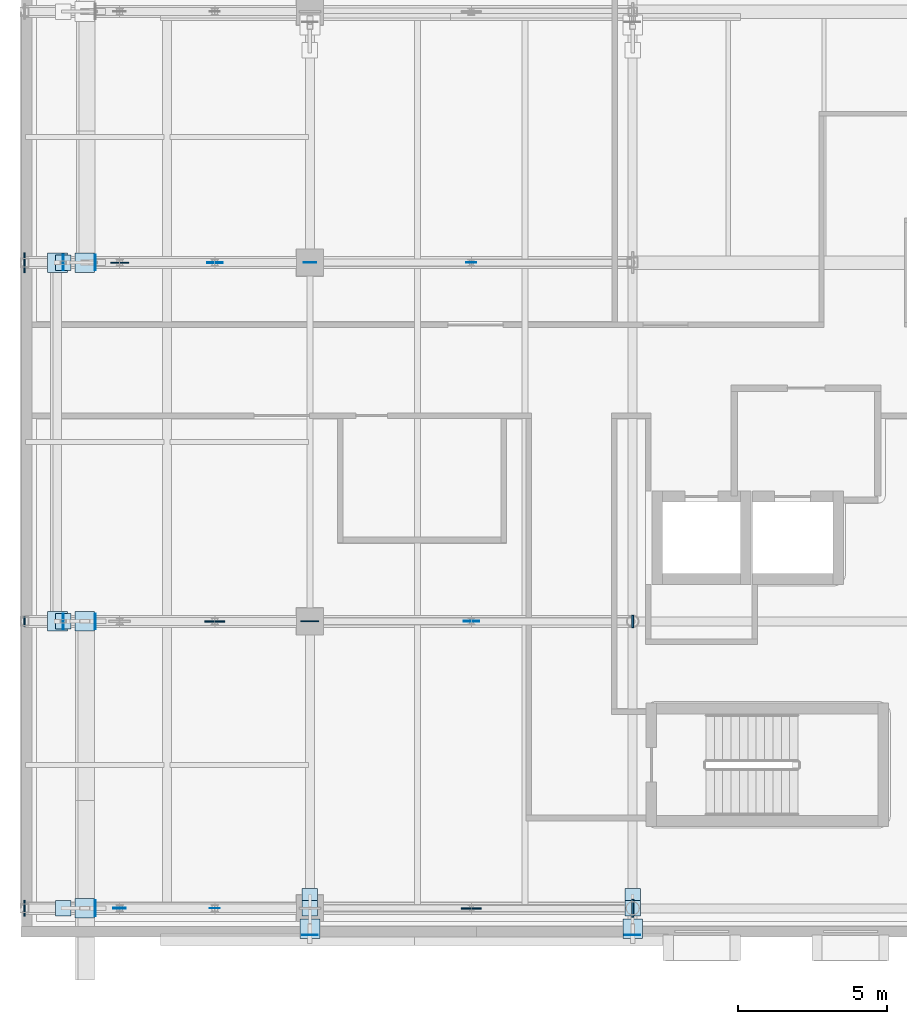
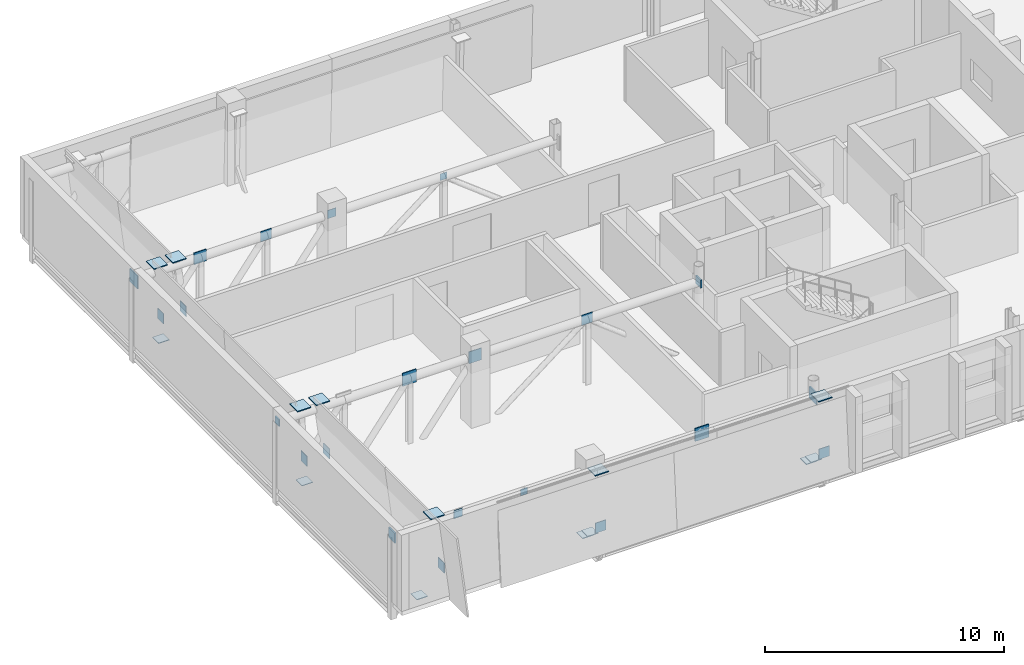
# One storey, part 66 of 89: 36 plates.
"""IFC4 building model written with IfcOpenShell, lengths in metres."""

from ifc_helpers import new_model, si_unit, direction, frame, origin, origin_2d, place, context, subcontext, project, spatial, rectangle, extrude, material, layer, layer_set, type_object, element, save


model = new_model("IFC4")

# Units and contexts
model_context = context("Model", 3, precision=1e-05, world=origin(), true_north=direction((0.0, 1.0)))
body_context = subcontext(model_context, "Body", "Model", "MODEL_VIEW")
ifc_project = project(units=[si_unit("LENGTHUNIT", "METRE"), si_unit("AREAUNIT", "SQUARE_METRE"), si_unit("VOLUMEUNIT", "CUBIC_METRE"), si_unit("PLANEANGLEUNIT", "RADIAN"), si_unit("MASSUNIT", "GRAM", prefix="KILO")], contexts=[model_context])

# Site, building, storey
site_placement = place(None, origin())
site = spatial("IfcSite", under=ifc_project, at=site_placement, CompositionType="ELEMENT")
building_placement = place(site_placement, origin())
building = spatial("IfcBuilding", under=site, at=building_placement, Name="Zereglee Splitstone Museum", CompositionType="ELEMENT")
storey_placement = place(building_placement, frame((0.0, 0.0, 21.300048828125)))
storey = spatial("IfcBuildingStorey", under=building, at=storey_placement, Name="L04", CompositionType="ELEMENT", Elevation=21.300048828125)

# Plates
ifc_material = material(Name="Steel S355J2", Category="steel")
ifc_layer_1 = layer(ifc_material, 0.011962890625)
ifc_layer_set_1 = layer_set([ifc_layer_1], Name="Steel S355J2")
plate_type_1 = type_object("IfcPlateType", Name="NP-06", PredefinedType="SHEET", material=ifc_layer_set_1)
plate_1_placement = place(storey_placement, frame((6.416748046875, 0.0, 3.1298828125), z_axis=(0.0, 0.0, 1.0), x_axis=(1.0, 0.0, 0.0)))
element("IfcPlate", 1, at=plate_1_placement, inside=storey, type_object=plate_type_1, Name="Cantilever Truss Node Plate CN-01", PredefinedType="SHEET", context=body_context, shape_type="SweptSolid", body=[
    extrude(rectangle(XDim=0.340087890625, YDim=0.011962890625, at=origin_2d()), origin(), (0.0, 0.0, 1.0), 0.340087890625),
])
plate_2_placement = place(storey_placement, frame((0.050048828125, 9.60009765625, 3.1298828125), z_axis=(0.0, 0.0, 1.0), x_axis=(1.0, 0.0, 0.0)))
element("IfcPlate", 2, at=plate_2_placement, inside=storey, type_object=plate_type_1, Name="Cantilever Truss Node Plate CN-02", PredefinedType="SHEET", context=body_context, shape_type="SweptSolid", body=[
    extrude(rectangle(XDim=0.06005859375, YDim=0.340087890625, at=origin_2d()), origin(), (0.0, 0.0, 1.0), 0.340087890625),
])
plate_3_placement = place(storey_placement, frame((15.0, 21.60009765625, 3.1298828125), z_axis=(0.0, 0.0, 1.0), x_axis=(1.0, 0.0, 0.0)))
element("IfcPlate", 3, at=plate_3_placement, inside=storey, type_object=plate_type_1, Name="Cantilever Truss Node Plate CN-03", PredefinedType="SHEET", context=body_context, shape_type="SweptSolid", body=[
    extrude(rectangle(XDim=0.340087890625, YDim=0.011962890625, at=origin_2d()), origin(), (0.0, 0.0, 1.0), 0.340087890625),
])
ifc_layer_2 = layer(ifc_material, 0.02001953125)
ifc_layer_set_2 = layer_set([ifc_layer_2], Name="Steel S355J2")
plate_type_2 = type_object("IfcPlateType", Name="NP-05", PredefinedType="SHEET", material=ifc_layer_set_2)
plate_4_placement = place(storey_placement, frame((3.2333984375, 0.0, 3.090087890625), z_axis=(0.0, 0.0, 1.0), x_axis=(1.0, 0.0, 0.0)))
element("IfcPlate", 4, at=plate_4_placement, inside=storey, type_object=plate_type_2, Name="Cantilever Truss Node Plate CN-01", PredefinedType="SHEET", context=body_context, shape_type="SweptSolid", body=[
    extrude(rectangle(XDim=0.419921875, YDim=0.02001953125, at=origin_2d()), origin(), (0.0, 0.0, 1.0), 0.419921875),
])
plate_5_placement = place(storey_placement, frame((20.39990234375, 9.60009765625, 3.090087890625), z_axis=(0.0, 0.0, 1.0), x_axis=(1.0, 0.0, 0.0)))
element("IfcPlate", 5, at=plate_5_placement, inside=storey, type_object=plate_type_2, Name="Cantilever Truss Node Plate CN-02", PredefinedType="SHEET", context=body_context, shape_type="SweptSolid", body=[
    extrude(rectangle(XDim=0.06005859375, YDim=0.419921875, at=origin_2d()), origin(), (0.0, 0.0, 1.0), 0.419921875),
])
plate_6_placement = place(storey_placement, frame((9.60009765625, 21.60009765625, 3.090087890625), z_axis=(0.0, 0.0, 1.0), x_axis=(1.0, 0.0, 0.0)))
element("IfcPlate", 6, at=plate_6_placement, inside=storey, type_object=plate_type_2, Name="Cantilever Truss Node Plate CN-03", PredefinedType="SHEET", context=body_context, shape_type="SweptSolid", body=[
    extrude(rectangle(XDim=0.419921875, YDim=0.02001953125, at=origin_2d()), origin(), (0.0, 0.0, 1.0), 0.419921875),
])
ifc_layer_3 = layer(ifc_material, 0.030029296875)
ifc_layer_set_3 = layer_set([ifc_layer_3], Name="Steel S355J2")
plate_type_3 = type_object("IfcPlateType", Name="NP-04", PredefinedType="SHEET", material=ifc_layer_set_3)
plate_7_placement = place(storey_placement, frame((0.050048828125, 0.0, 3.0400390625), z_axis=(0.0, 0.0, 1.0), x_axis=(1.0, 0.0, 0.0)))
element("IfcPlate", 7, at=plate_7_placement, inside=storey, type_object=plate_type_3, Name="Cantilever Truss Node Plate CN-01", PredefinedType="SHEET", context=body_context, shape_type="SweptSolid", body=[
    extrude(rectangle(XDim=0.06005859375, YDim=0.52001953125, at=origin_2d()), origin(), (0.0, 0.0, 1.0), 0.52001953125),
])
for number, where, z_axis, x_axis, name in (
    (8, (15.0, 9.60009765625, 3.0400390625), (0.0, 0.0, 1.0), (1.0, 0.0, 0.0), "Cantilever Truss Node Plate CN-02"),
    (9, (6.416748046875, 21.60009765625, 3.0400390625), (0.0, 0.0, 1.0), (1.0, 0.0, 0.0), "Cantilever Truss Node Plate CN-03"),
):
    element("IfcPlate", number, at=place(storey_placement, frame(where, z_axis=z_axis, x_axis=x_axis)), inside=storey, type_object=plate_type_3, Name=name, PredefinedType="SHEET", context=body_context, shape_type="SweptSolid", body=[
        extrude(rectangle(XDim=0.52001953125, YDim=0.030029296875, at=origin_2d()), origin(), (0.0, 0.0, 1.0), 0.52001953125),
    ])
for number, where, z_axis, x_axis, name in (
    (10, (9.60009765625, 0.0, 0.10498046875), (0.0, 0.0, 1.0), (1.0, 0.0, 0.0), "CBF Brace Gusset Cap L04-004"),
    (11, (20.39990234375, 0.0, 0.10498046875), (0.0, 0.0, 1.0), (1.0, 0.0, 0.0), "CBF Brace Gusset Cap L04-004"),
    (12, (1.35009765625, 0.0, -0.23486328125), (0.0, 0.0, 1.0), (1.0, 0.0, 0.0), "Facet Tie Seal Plate FH-V1W-S"),
):
    element("IfcPlate", number, at=place(storey_placement, frame(where, z_axis=z_axis, x_axis=x_axis)), inside=storey, type_object=plate_type_3, Name=name, PredefinedType="SHEET", context=body_context, shape_type="SweptSolid", body=[
        extrude(rectangle(XDim=0.52001953125, YDim=0.52001953125, at=origin_2d()), origin(), (0.0, 0.0, 1.0), 0.030029296875),
    ])
plate_8_placement = place(storey_placement, frame((2.423095703125, 0.0, 0.679931640625), z_axis=(0.0, 0.0, 1.0), x_axis=(1.0, 0.0, 0.0)))
element("IfcPlate", 13, at=plate_8_placement, inside=storey, type_object=plate_type_3, Name="Facet Tie Seal Plate FH-V1W-S", PredefinedType="SHEET", context=body_context, shape_type="SweptSolid", body=[
    extrude(rectangle(XDim=0.030029296875, YDim=0.52001953125, at=origin_2d()), origin(), (0.0, 0.0, 1.0), 0.52001953125),
])
plate_9_placement = place(storey_placement, frame((1.35009765625, 9.60009765625, -0.23486328125), z_axis=(0.0, 0.0, 1.0), x_axis=(1.0, 0.0, 0.0)))
element("IfcPlate", 14, at=plate_9_placement, inside=storey, type_object=plate_type_3, Name="Facet Tie Seal Plate FH-V1W-S", PredefinedType="SHEET", context=body_context, shape_type="SweptSolid", body=[
    extrude(rectangle(XDim=0.52001953125, YDim=0.52001953125, at=origin_2d()), origin(), (0.0, 0.0, 1.0), 0.030029296875),
])
plate_10_placement = place(storey_placement, frame((2.423095703125, 9.60009765625, 0.679931640625), z_axis=(0.0, 0.0, 1.0), x_axis=(1.0, 0.0, 0.0)))
element("IfcPlate", 15, at=plate_10_placement, inside=storey, type_object=plate_type_3, Name="Facet Tie Seal Plate FH-V1W-S", PredefinedType="SHEET", context=body_context, shape_type="SweptSolid", body=[
    extrude(rectangle(XDim=0.030029296875, YDim=0.52001953125, at=origin_2d()), origin(), (0.0, 0.0, 1.0), 0.52001953125),
])
plate_11_placement = place(storey_placement, frame((1.35009765625, 21.60009765625, -0.23486328125), z_axis=(0.0, 0.0, 1.0), x_axis=(1.0, 0.0, 0.0)))
element("IfcPlate", 16, at=plate_11_placement, inside=storey, type_object=plate_type_3, Name="Facet Tie Seal Plate FH-V1W-N", PredefinedType="SHEET", context=body_context, shape_type="SweptSolid", body=[
    extrude(rectangle(XDim=0.52001953125, YDim=0.52001953125, at=origin_2d()), origin(), (0.0, 0.0, 1.0), 0.030029296875),
])
for number, where, z_axis, x_axis, name in (
    (17, (2.423095703125, 21.60009765625, 0.679931640625), (0.0, 0.0, 1.0), (1.0, 0.0, 0.0), "Facet Tie Seal Plate FH-V1W-N"),
    (18, (1.341796875, 9.60009765625, 0.679931640625), (0.0, 0.0, 1.0), (1.0, 0.0, 0.0), "Facet Tie Seal Plate FH-V1W-M"),
    (19, (1.341796875, 21.60009765625, 0.679931640625), (0.0, 0.0, 1.0), (1.0, 0.0, 0.0), "Facet Tie Seal Plate FH-V1W-M"),
):
    element("IfcPlate", number, at=place(storey_placement, frame(where, z_axis=z_axis, x_axis=x_axis)), inside=storey, type_object=plate_type_3, Name=name, PredefinedType="SHEET", context=body_context, shape_type="SweptSolid", body=[
        extrude(rectangle(XDim=0.030029296875, YDim=0.52001953125, at=origin_2d()), origin(), (0.0, 0.0, 1.0), 0.52001953125),
    ])
plate_12_placement = place(storey_placement, frame((9.60009765625, 0.39990234375, -0.23486328125), z_axis=(0.0, 0.0, 1.0), x_axis=(1.0, 0.0, 0.0)))
element("IfcPlate", 20, at=plate_12_placement, inside=storey, type_object=plate_type_3, Name="Facet Tie Seal Plate FH-V1S-W", PredefinedType="SHEET", context=body_context, shape_type="SweptSolid", body=[
    extrude(rectangle(XDim=0.52001953125, YDim=0.52001953125, at=origin_2d()), origin(), (0.0, 0.0, 1.0), 0.030029296875),
])
plate_13_placement = place(storey_placement, frame((9.60009765625, -0.894775390625, 0.679931640625), z_axis=(0.0, 0.0, 1.0), x_axis=(1.0, 0.0, 0.0)))
element("IfcPlate", 21, at=plate_13_placement, inside=storey, type_object=plate_type_3, Name="Facet Tie Seal Plate FH-V1S-W", PredefinedType="SHEET", context=body_context, shape_type="SweptSolid", body=[
    extrude(rectangle(XDim=0.52001953125, YDim=0.030029296875, at=origin_2d()), origin(), (0.0, 0.0, 1.0), 0.52001953125),
])
plate_14_placement = place(storey_placement, frame((20.39990234375, 0.39990234375, -0.23486328125), z_axis=(0.0, 0.0, 1.0), x_axis=(1.0, 0.0, 0.0)))
element("IfcPlate", 22, at=plate_14_placement, inside=storey, type_object=plate_type_3, Name="Facet Tie Seal Plate FH-V1S-W", PredefinedType="SHEET", context=body_context, shape_type="SweptSolid", body=[
    extrude(rectangle(XDim=0.52001953125, YDim=0.52001953125, at=origin_2d()), origin(), (0.0, 0.0, 1.0), 0.030029296875),
])
plate_15_placement = place(storey_placement, frame((20.39990234375, -0.894775390625, 0.679931640625), z_axis=(0.0, 0.0, 1.0), x_axis=(1.0, 0.0, 0.0)))
element("IfcPlate", 23, at=plate_15_placement, inside=storey, type_object=plate_type_3, Name="Facet Tie Seal Plate FH-V1S-W", PredefinedType="SHEET", context=body_context, shape_type="SweptSolid", body=[
    extrude(rectangle(XDim=0.52001953125, YDim=0.030029296875, at=origin_2d()), origin(), (0.0, 0.0, 1.0), 0.52001953125),
])
ifc_layer_4 = layer(ifc_material, 0.0400390625)
ifc_layer_set_4 = layer_set([ifc_layer_4], Name="Steel S355J2")
plate_type_4 = type_object("IfcPlateType", Name="NP-03", PredefinedType="SHEET", material=ifc_layer_set_4)
plate_16_placement = place(storey_placement, frame((20.39990234375, 0.0, 3.0), z_axis=(0.0, 0.0, 1.0), x_axis=(1.0, 0.0, 0.0)))
element("IfcPlate", 24, at=plate_16_placement, inside=storey, type_object=plate_type_4, Name="Cantilever Truss Node Plate CN-01", PredefinedType="SHEET", context=body_context, shape_type="SweptSolid", body=[
    extrude(rectangle(XDim=0.06005859375, YDim=0.60009765625, at=origin_2d()), origin(), (0.0, 0.0, 1.0), 0.60009765625),
])
for number, where, z_axis, x_axis, name in (
    (25, (9.60009765625, 9.60009765625, 3.0), (0.0, 0.0, 1.0), (1.0, 0.0, 0.0), "Cantilever Truss Node Plate CN-02"),
    (26, (3.2333984375, 21.60009765625, 3.0), (0.0, 0.0, 1.0), (1.0, 0.0, 0.0), "Cantilever Truss Node Plate CN-03"),
):
    element("IfcPlate", number, at=place(storey_placement, frame(where, z_axis=z_axis, x_axis=x_axis)), inside=storey, type_object=plate_type_4, Name=name, PredefinedType="SHEET", context=body_context, shape_type="SweptSolid", body=[
        extrude(rectangle(XDim=0.60009765625, YDim=0.0400390625, at=origin_2d()), origin(), (0.0, 0.0, 1.0), 0.60009765625),
    ])
ifc_layer_5 = layer(ifc_material, 0.050048828125)
ifc_layer_set_5 = layer_set([ifc_layer_5], Name="Steel S355J2")
plate_type_5 = type_object("IfcPlateType", Name="NP-02", PredefinedType="SHEET", material=ifc_layer_set_5)
for number, where, z_axis, x_axis, name in (
    (27, (15.0, 0.0, 2.97021484375), (0.0, 0.0, 1.0), (1.0, 0.0, 0.0), "Cantilever Truss Node Plate CN-01"),
    (28, (6.416748046875, 9.60009765625, 2.97021484375), (0.0, 0.0, 1.0), (1.0, 0.0, 0.0), "Cantilever Truss Node Plate CN-02"),
):
    element("IfcPlate", number, at=place(storey_placement, frame(where, z_axis=z_axis, x_axis=x_axis)), inside=storey, type_object=plate_type_5, Name=name, PredefinedType="SHEET", context=body_context, shape_type="SweptSolid", body=[
        extrude(rectangle(XDim=0.659912109375, YDim=0.050048828125, at=origin_2d()), origin(), (0.0, 0.0, 1.0), 0.659912109375),
    ])
plate_17_placement = place(storey_placement, frame((0.050048828125, 21.60009765625, 2.97021484375), z_axis=(0.0, 0.0, 1.0), x_axis=(1.0, 0.0, 0.0)))
element("IfcPlate", 29, at=plate_17_placement, inside=storey, type_object=plate_type_5, Name="Cantilever Truss Node Plate CN-03", PredefinedType="SHEET", context=body_context, shape_type="SweptSolid", body=[
    extrude(rectangle(XDim=0.06005859375, YDim=0.659912109375, at=origin_2d()), origin(), (0.0, 0.0, 1.0), 0.659912109375),
])
for number, where, z_axis, x_axis, name in (
    (30, (2.06591796875, 0.0, 3.6748046875), (0.0, 0.0, 1.0), (1.0, 0.0, 0.0), "Facet Strut Seal Plate FH-V1W-S"),
    (31, (2.06591796875, 9.60009765625, 3.6748046875), (0.0, 0.0, 1.0), (1.0, 0.0, 0.0), "Facet Strut Seal Plate FH-V1W-S"),
    (32, (2.06591796875, 21.60009765625, 3.6748046875), (0.0, 0.0, 1.0), (1.0, 0.0, 0.0), "Facet Strut Seal Plate FH-V1W-N"),
    (33, (1.154296875, 9.60009765625, 3.6748046875), (0.0, 0.0, 1.0), (1.0, 0.0, 0.0), "Facet Strut Seal Plate FH-V1W-M"),
    (34, (1.154296875, 21.60009765625, 3.6748046875), (0.0, 0.0, 1.0), (1.0, 0.0, 0.0), "Facet Strut Seal Plate FH-V1W-M"),
    (35, (9.60009765625, -0.68212890625, 3.6748046875), (0.0, 0.0, 1.0), (1.0, 0.0, 0.0), "Facet Strut Seal Plate FH-V1S-W"),
    (36, (20.39990234375, -0.68212890625, 3.6748046875), (0.0, 0.0, 1.0), (1.0, 0.0, 0.0), "Facet Strut Seal Plate FH-V1S-W"),
):
    element("IfcPlate", number, at=place(storey_placement, frame(where, z_axis=z_axis, x_axis=x_axis)), inside=storey, type_object=plate_type_5, Name=name, PredefinedType="SHEET", context=body_context, shape_type="SweptSolid", body=[
        extrude(rectangle(XDim=0.659912109375, YDim=0.659912109375, at=origin_2d()), origin(), (0.0, 0.0, 1.0), 0.050048828125),
    ])

save(model, "model.ifc")
